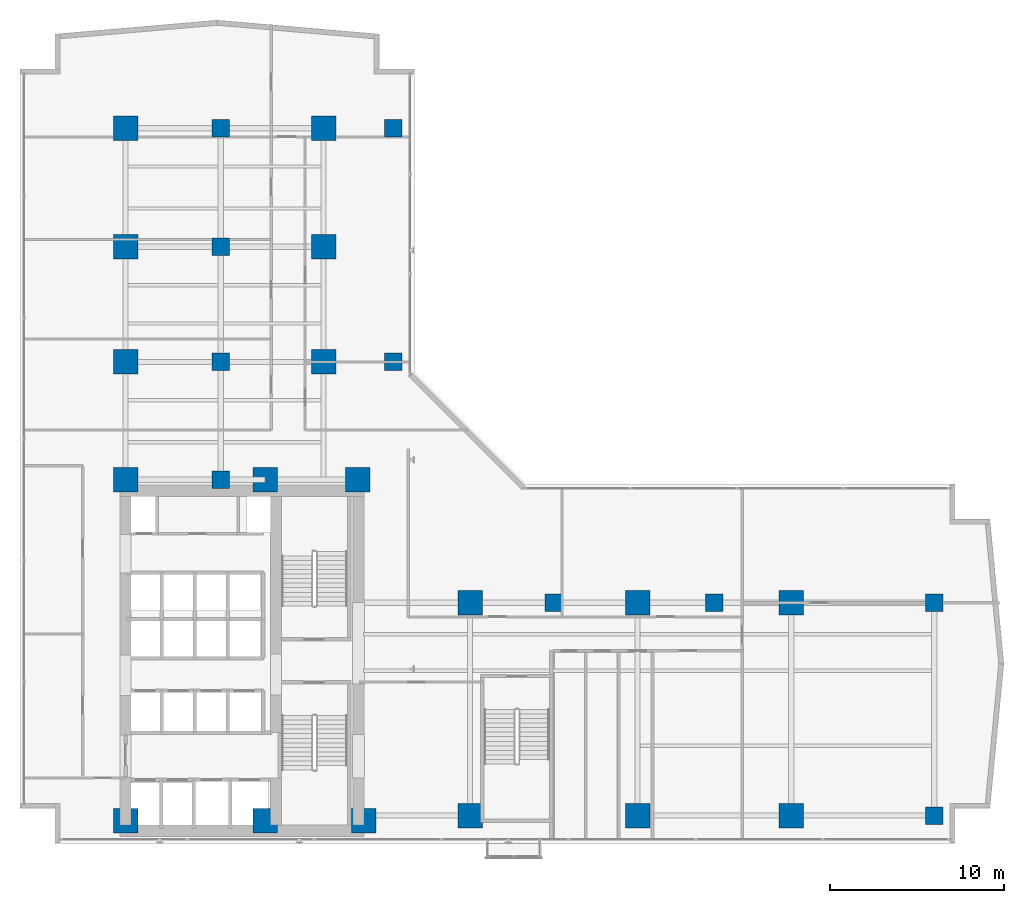
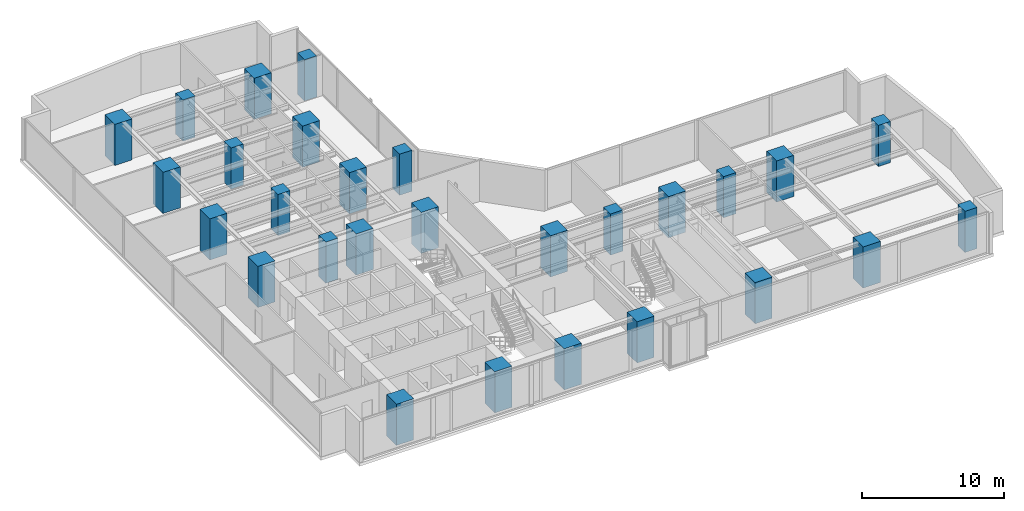
# One storey, part 1 of 24: 28 columns.
"""IFC4 building model written with IfcOpenShell, lengths in metres."""

from ifc_helpers import new_model, si_unit, direction, frame, origin, origin_2d, place, context, subcontext, project, spatial, rectangle, extrude, material, material_profile, profile_set, type_object, element, save


model = new_model("IFC4")

# Units and contexts
model_context = context("Model", 3, precision=1e-05, world=origin(), true_north=direction((0.0, 1.0)))
body_context = subcontext(model_context, "Body", "Model", "MODEL_VIEW")
ifc_project = project(units=[si_unit("LENGTHUNIT", "METRE"), si_unit("AREAUNIT", "SQUARE_METRE"), si_unit("VOLUMEUNIT", "CUBIC_METRE"), si_unit("PLANEANGLEUNIT", "RADIAN"), si_unit("MASSUNIT", "GRAM", prefix="KILO")], contexts=[model_context])

# Site, building, storey
site_placement = place(None, origin())
site = spatial("IfcSite", under=ifc_project, at=site_placement, CompositionType="ELEMENT")
building_placement = place(site_placement, origin())
building = spatial("IfcBuilding", under=site, at=building_placement, Name="Kolvaren Waterfront Exchange", CompositionType="ELEMENT")
storey_placement = place(building_placement, frame((0.0, 0.0, 95.5)))
storey = spatial("IfcBuildingStorey", under=building, at=storey_placement, Name="L24", CompositionType="ELEMENT", Elevation=95.5)

# Columns
ifc_material = material(Name="Concrete C60/75", Category="concrete")
ifc_material_profile_1 = material_profile(ifc_material, rectangle(XDim=1.0, YDim=1.0, at=origin_2d()), Name="RC-COL-1000x1000")
ifc_profile_set_1 = profile_set([ifc_material_profile_1], Name="Concrete C60/75")
column_type_1 = type_object("IfcColumnType", Name="STR-COL-1000-C60", PredefinedType="COLUMN", material=ifc_profile_set_1)
for number, where, z_axis, x_axis, name in (
    (1, (53.800048828125, 5.199951171875, 0.0), (0.0, 0.0, 1.0), (1.0, 0.0, 0.0), "L24 column ZC01"),
    (2, (53.800048828125, 17.39990234375, 0.0), (0.0, 0.0, 1.0), (1.0, 0.0, 0.0), "L24 column ZC02"),
    (3, (22.800048828125, 31.199951171875, 0.0), (0.0, 0.0, 1.0), (1.0, 0.0, 0.0), "L24 column ZC05"),
    (4, (22.800048828125, 44.60009765625, 0.0), (0.0, 0.0, 1.0), (1.0, 0.0, 0.0), "L24 column ZC06"),
    (5, (12.89990234375, 24.449951171875, 0.0), (0.0, 0.0, 1.0), (1.0, 0.0, 0.0), "L24 column TC01"),
    (6, (12.89990234375, 31.199951171875, 0.0), (0.0, 0.0, 1.0), (1.0, 0.0, 0.0), "L24 column TC02"),
    (7, (12.89990234375, 37.800048828125, 0.0), (0.0, 0.0, 1.0), (1.0, 0.0, 0.0), "L24 column TC03"),
    (8, (12.89990234375, 44.60009765625, 0.0), (0.0, 0.0, 1.0), (1.0, 0.0, 0.0), "L24 column TC04"),
    (9, (32.0, 17.39990234375, 0.0), (0.0, 0.0, 1.0), (1.0, 0.0, 0.0), "L24 column TC05"),
    (10, (41.199951171875, 17.39990234375, 0.0), (0.0, 0.0, 1.0), (1.0, 0.0, 0.0), "L24 column TC06"),
):
    element("IfcColumn", number, at=place(storey_placement, frame(where, z_axis=z_axis, x_axis=x_axis)), inside=storey, type_object=column_type_1, Name=name, PredefinedType="COLUMN", context=body_context, shape_type="SweptSolid", body=[
        extrude(rectangle(XDim=1.0, YDim=1.0, at=origin_2d()), origin(), (0.0, 0.0, 1.0), 3.5400390625),
    ])
ifc_material_profile_2 = material_profile(ifc_material, rectangle(XDim=1.39990234375, YDim=1.39990234375, at=origin_2d()), Name="RC-COL-1400x1400")
ifc_profile_set_2 = profile_set([ifc_material_profile_2], Name="Concrete C60/75")
column_type_2 = type_object("IfcColumnType", Name="STR-COL-1400-C60", PredefinedType="COLUMN", material=ifc_profile_set_2)
for number, where, z_axis, x_axis, name in (
    (11, (7.449951171875, 4.89990234375, 0.0), (0.0, 0.0, 1.0), (1.0, 0.0, 0.0), "L24 column MC01"),
    (12, (15.449951171875, 4.89990234375, 0.0), (0.0, 0.0, 1.0), (1.0, 0.0, 0.0), "L24 column MC02"),
    (13, (21.10009765625, 4.89990234375, 0.0), (0.0, 0.0, 1.0), (1.0, 0.0, 0.0), "L24 column MC03"),
    (14, (7.449951171875, 24.449951171875, 0.0), (0.0, 0.0, 1.0), (1.0, 0.0, 0.0), "L24 column MC04"),
    (15, (15.449951171875, 24.449951171875, 0.0), (0.0, 0.0, 1.0), (1.0, 0.0, 0.0), "L24 column MC05"),
    (16, (20.75, 24.449951171875, 0.0), (0.0, 0.0, 1.0), (1.0, 0.0, 0.0), "L24 column MC06"),
    (17, (7.449951171875, 31.199951171875, 0.0), (0.0, 0.0, 1.0), (1.0, 0.0, 0.0), "L24 column NC01"),
    (18, (7.449951171875, 37.800048828125, 0.0), (0.0, 0.0, 1.0), (1.0, 0.0, 0.0), "L24 column NC02"),
    (19, (7.449951171875, 44.60009765625, 0.0), (0.0, 0.0, 1.0), (1.0, 0.0, 0.0), "L24 column NC03"),
    (20, (18.800048828125, 31.199951171875, 0.0), (0.0, 0.0, 1.0), (1.0, 0.0, 0.0), "L24 column NC04"),
    (21, (18.800048828125, 37.800048828125, 0.0), (0.0, 0.0, 1.0), (1.0, 0.0, 0.0), "L24 column NC05"),
    (22, (18.800048828125, 44.60009765625, 0.0), (0.0, 0.0, 1.0), (1.0, 0.0, 0.0), "L24 column NC06"),
    (23, (27.199951171875, 5.199951171875, 0.0), (0.0, 0.0, 1.0), (1.0, 0.0, 0.0), "L24 column EC01"),
    (24, (36.800048828125, 5.199951171875, 0.0), (0.0, 0.0, 1.0), (1.0, 0.0, 0.0), "L24 column EC02"),
    (25, (45.60009765625, 5.199951171875, 0.0), (0.0, 0.0, 1.0), (1.0, 0.0, 0.0), "L24 column EC03"),
    (26, (27.199951171875, 17.39990234375, 0.0), (0.0, 0.0, 1.0), (1.0, 0.0, 0.0), "L24 column EC04"),
    (27, (36.800048828125, 17.39990234375, 0.0), (0.0, 0.0, 1.0), (1.0, 0.0, 0.0), "L24 column EC05"),
    (28, (45.60009765625, 17.39990234375, 0.0), (0.0, 0.0, 1.0), (1.0, 0.0, 0.0), "L24 column EC06"),
):
    element("IfcColumn", number, at=place(storey_placement, frame(where, z_axis=z_axis, x_axis=x_axis)), inside=storey, type_object=column_type_2, Name=name, PredefinedType="COLUMN", context=body_context, shape_type="SweptSolid", body=[
        extrude(rectangle(XDim=1.39990234375, YDim=1.39990234375, at=origin_2d()), origin(), (0.0, 0.0, 1.0), 3.5400390625),
    ])

save(model, "model.ifc")
